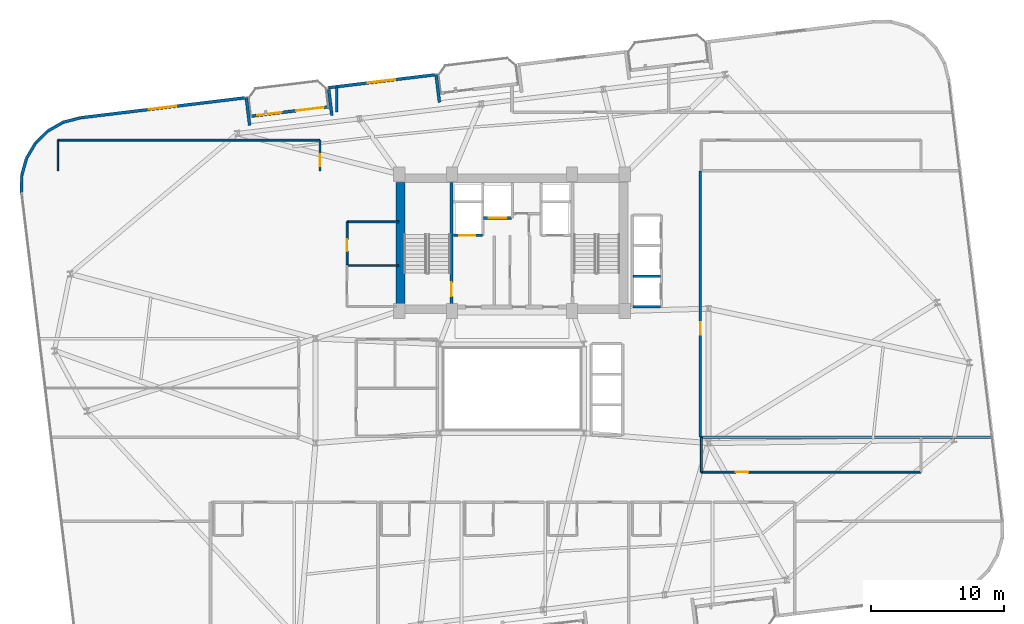
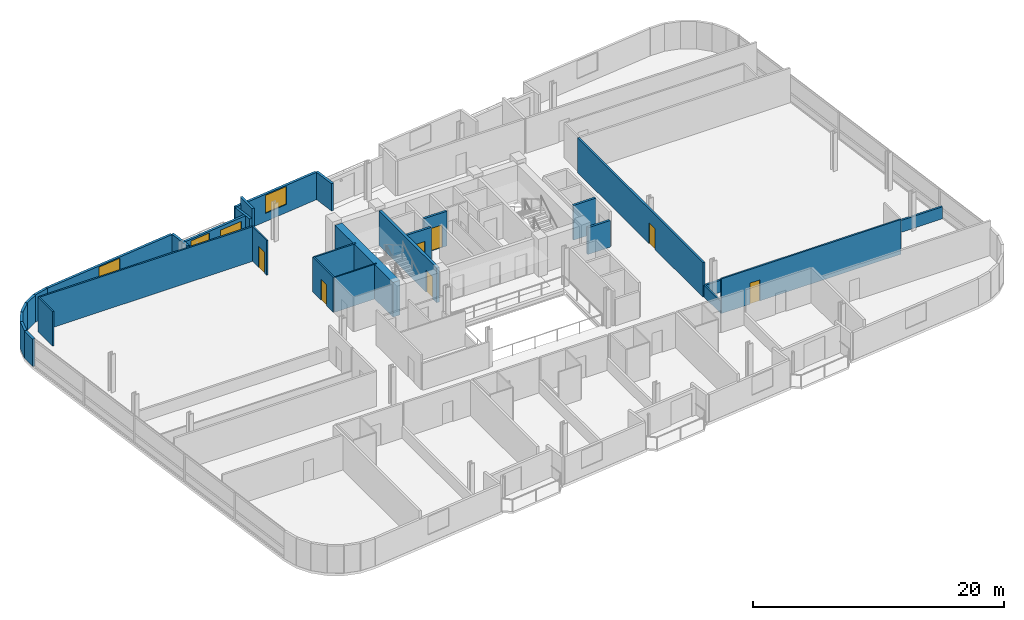
# One storey, part 16 of 22: 29 walls, 8 doors, 3 windows, 11 openings.
"""IFC4 building model written with IfcOpenShell, lengths in metres."""

from ifc_helpers import new_model, si_unit, direction, frame, frame_2d, origin, place, context, subcontext, project, spatial, rectangle, extrude, material, layer, layer_set, type_object, element, fill, save


model = new_model("IFC4")

# Units and contexts
model_context = context("Model", 3, precision=1e-05, world=origin(), true_north=direction((0.0, 1.0)))
body_context = subcontext(model_context, "Body", "Model", "MODEL_VIEW")
ifc_project = project(units=[si_unit("LENGTHUNIT", "METRE"), si_unit("AREAUNIT", "SQUARE_METRE"), si_unit("VOLUMEUNIT", "CUBIC_METRE"), si_unit("PLANEANGLEUNIT", "RADIAN"), si_unit("MASSUNIT", "GRAM", prefix="KILO")], contexts=[model_context])

# Site, building, storey
site_placement = place(None, origin())
site = spatial("IfcSite", under=ifc_project, at=site_placement, CompositionType="ELEMENT")
building_placement = place(site_placement, origin())
building = spatial("IfcBuilding", under=site, at=building_placement, Name="Varnelok Gate Tower", CompositionType="ELEMENT")
storey_placement = place(building_placement, frame((0.0, 0.0, 204.199951171875)))
storey = spatial("IfcBuildingStorey", under=building, at=storey_placement, Name="L52", CompositionType="ELEMENT", Elevation=204.199951171875)

# Wall, openings, door, window
ifc_material_1 = material(Name="Concrete C45/55", Category="concrete")
ifc_layer_1 = layer(ifc_material_1, 0.219970703125)
ifc_layer_set_1 = layer_set([ifc_layer_1], Name="Concrete C45/55")
wall_type_1 = type_object("IfcWallType", Name="EW-BALC-220", PredefinedType="SOLIDWALL", material=ifc_layer_set_1)
wall_1_placement = place(storey_placement, frame((19.477294921875, 43.408203125, 0.0), z_axis=(0.0, 0.0, 1.0), x_axis=(0.992735402148, 0.120318000826, 0.0)))
wall_1 = element("IfcWall", 1, at=wall_1_placement, inside=storey, type_object=wall_type_1, Name="L52 North Terrace Envelope Wall 4", PredefinedType="SOLIDWALL", context=body_context, shape_type="SweptSolid", body=[
    extrude(rectangle(XDim=6.000244140625, YDim=0.219970703125, at=frame_2d((3.0, 0.0))), origin(), (0.0, 0.0, 1.0), 2.66015625),
])
opening_1_placement = place(wall_1_placement, frame((3.5, 0.0, 0.0)))
opening_1 = element("IfcOpeningElement", 2, at=opening_1_placement, cuts=wall_1, Name="Opening BD-2", PredefinedType="OPENING", context=body_context, shape_type="SweptSolid", body=[
    extrude(rectangle(XDim=2.10009765625, YDim=2.300048828125, at=frame_2d((1.050048828125, 1.14990234375))), frame((0.0, 0.119873046875, 0.0), z_axis=(0.0, -1.0, 0.0), x_axis=(1.0, 0.0, 0.0)), (0.0, 0.0, 1.0), 0.239990234375),
])
opening_2_placement = place(wall_1_placement, frame((0.550048828125, 0.0, 0.75)))
opening_2 = element("IfcOpeningElement", 3, at=opening_2_placement, cuts=wall_1, Name="Opening WN5", PredefinedType="OPENING", context=body_context, shape_type="SweptSolid", body=[
    extrude(rectangle(XDim=1.85009765625, YDim=1.75, at=frame_2d((0.925048828125, 0.875))), frame((0.0, 0.119873046875, 0.0), z_axis=(0.0, -1.0, 0.0), x_axis=(1.0, 0.0, 0.0)), (0.0, 0.0, 1.0), 0.239990234375),
])
ifc_material_2 = material(Name="Anodized Aluminum Alloy 6063-T6", Category="aluminium")
door_type_1 = type_object("IfcDoorType", Name="DR-EXT-SLID2100", OperationType="SLIDING_TO_LEFT", PredefinedType="DOOR", material=ifc_material_2)
door_1_placement = place(opening_1_placement, origin())
door_1 = element("IfcDoor", 4, at=door_1_placement, inside=storey, type_object=door_type_1, Name="L52 North Balcony Glazed Door 4", OperationType="SLIDING_TO_LEFT", OverallHeight=2.300048828125, OverallWidth=2.10009765625, PredefinedType="DOOR", context=body_context, shape_type="SweptSolid", body=[
    extrude(rectangle(XDim=2.10009765625, YDim=2.300048828125, at=frame_2d((1.050048828125, 1.14990234375))), frame((0.0, 0.02490234375, 0.0), z_axis=(0.0, -1.0, 0.0), x_axis=(1.0, 0.0, 0.0)), (0.0, 0.0, 1.0), 0.050048828125),
])
fill(opening_1, door_1)
ifc_material_3 = material(Name="Low-E Laminated Double Glazing IGU", Category="glass")
window_type_1 = type_object("IfcWindowType", Name="WN-RES-1850", PartitioningType="SINGLE_PANEL", PredefinedType="WINDOW", material=ifc_material_3)
window_1_placement = place(opening_2_placement, origin())
window_1 = element("IfcWindow", 5, at=window_1_placement, inside=storey, type_object=window_type_1, Name="L52 North Vision Window 4.1", OverallHeight=1.75, OverallWidth=1.85009765625, PartitioningType="SINGLE_PANEL", PredefinedType="WINDOW", context=body_context, shape_type="SweptSolid", body=[
    extrude(rectangle(XDim=1.85009765625, YDim=1.75, at=frame_2d((0.925048828125, 0.875))), frame((0.0, 0.030029296875, 0.0), z_axis=(0.0, -1.0, 0.0), x_axis=(1.0, 0.0, 0.0)), (0.0, 0.0, 1.0), 0.06005859375),
])
fill(opening_2, window_1)

# Wall
wall_2_placement = place(storey_placement, frame((33.734375, 44.46142578125, 0.0), z_axis=(0.0, 0.0, 1.0), x_axis=(-0.120327895535, 0.992734202874, 0.0)))
element("IfcWall", 6, at=wall_2_placement, inside=storey, type_object=wall_type_1, Name="L52 Perimeter Facade Closure Wall 34", PredefinedType="SOLIDWALL", context=body_context, shape_type="SweptSolid", body=[
    extrude(rectangle(XDim=2.099853515625, YDim=0.219970703125, at=frame_2d((1.0498046875, 0.0))), origin(), (0.0, 0.0, 1.0), 2.66015625),
])

# Wall, opening, window
wall_3_placement = place(storey_placement, frame((33.357421875, 46.53125, 0.0), z_axis=(0.0, 0.0, 1.0), x_axis=(-0.992731032022, -0.120354052946, 0.0)))
wall_3 = element("IfcWall", 7, at=wall_3_placement, inside=storey, type_object=wall_type_1, Name="L52 Perimeter Facade Closure Wall 35", PredefinedType="SOLIDWALL", context=body_context, shape_type="SweptSolid", body=[
    extrude(rectangle(XDim=8.034912109375, YDim=0.219970703125, at=frame_2d((4.017578125, 0.0))), origin(), (0.0, 0.0, 1.0), 2.66015625),
])
opening_3_placement = place(wall_3_placement, frame((2.967529296875, 0.0, 0.800048828125)))
opening_3 = element("IfcOpeningElement", 8, at=opening_3_placement, cuts=wall_3, Name="Opening WN4", PredefinedType="OPENING", context=body_context, shape_type="SweptSolid", body=[
    extrude(rectangle(XDim=2.10009765625, YDim=1.75, at=frame_2d((1.050048828125, 0.875))), frame((0.0, 0.119873046875, 0.0), z_axis=(0.0, -1.0, 0.0), x_axis=(1.0, 0.0, 0.0)), (0.0, 0.0, 1.0), 0.239990234375),
])
window_type_2 = type_object("IfcWindowType", Name="WN-SUI-2100", PartitioningType="SINGLE_PANEL", PredefinedType="WINDOW", material=ifc_material_3)
window_2_placement = place(opening_3_placement, origin())
window_2 = element("IfcWindow", 9, at=window_2_placement, inside=storey, type_object=window_type_2, Name="L52 Perimeter Vision Window 35", OverallHeight=1.75, OverallWidth=2.10009765625, PartitioningType="SINGLE_PANEL", PredefinedType="WINDOW", context=body_context, shape_type="SweptSolid", body=[
    extrude(rectangle(XDim=2.10009765625, YDim=1.75, at=frame_2d((1.050048828125, 0.875))), frame((0.0, 0.030029296875, 0.0), z_axis=(0.0, -1.0, 0.0), x_axis=(1.0, 0.0, 0.0)), (0.0, 0.0, 1.0), 0.06005859375),
])
fill(opening_3, window_2)

# Walls
wall_4_placement = place(storey_placement, frame((25.39599609375, 45.440185546875, 0.0), z_axis=(0.0, 0.0, 1.0), x_axis=(0.120275992932, -0.992740492538, 0.0)))
element("IfcWall", 10, at=wall_4_placement, inside=storey, type_object=wall_type_1, Name="L52 Perimeter Facade Closure Wall 36", PredefinedType="SOLIDWALL", context=body_context, shape_type="SweptSolid", body=[
    extrude(rectangle(XDim=1.97509765625, YDim=0.219970703125, at=frame_2d((0.987548828125, 0.0))), origin(), (0.0, 0.0, 1.0), 2.66015625),
])
wall_5_placement = place(storey_placement, frame((19.43896484375, 42.728515625, 0.0), z_axis=(0.0, 0.0, 1.0), x_axis=(-0.120327895535, 0.992734202874, 0.0)))
element("IfcWall", 11, at=wall_5_placement, inside=storey, type_object=wall_type_1, Name="L52 Perimeter Facade Closure Wall 37", PredefinedType="SOLIDWALL", context=body_context, shape_type="SweptSolid", body=[
    extrude(rectangle(XDim=2.099853515625, YDim=0.219970703125, at=frame_2d((1.0498046875, 0.0))), origin(), (0.0, 0.0, 1.0), 2.66015625),
])

# Wall, opening, window
wall_6_placement = place(storey_placement, frame((19.06201171875, 44.798095703125, 0.0), z_axis=(0.0, 0.0, 1.0), x_axis=(-0.992733569027, -0.120333124809, 0.0)))
wall_6 = element("IfcWall", 12, at=wall_6_placement, inside=storey, type_object=wall_type_1, Name="L52 Perimeter Facade Closure Wall 38", PredefinedType="SOLIDWALL", context=body_context, shape_type="SweptSolid", body=[
    extrude(rectangle(XDim=12.447021484375, YDim=0.219970703125, at=frame_2d((6.2236328125, 0.0))), origin(), (0.0, 0.0, 1.0), 2.66015625),
])
opening_4_placement = place(wall_6_placement, frame((5.173583984375, 0.0, 0.800048828125)))
opening_4 = element("IfcOpeningElement", 13, at=opening_4_placement, cuts=wall_6, Name="Opening WN4", PredefinedType="OPENING", context=body_context, shape_type="SweptSolid", body=[
    extrude(rectangle(XDim=2.10009765625, YDim=1.75, at=frame_2d((1.050048828125, 0.875))), frame((0.0, 0.119873046875, 0.0), z_axis=(0.0, -1.0, 0.0), x_axis=(1.0, 0.0, 0.0)), (0.0, 0.0, 1.0), 0.239990234375),
])
window_3_placement = place(opening_4_placement, origin())
window_3 = element("IfcWindow", 14, at=window_3_placement, inside=storey, type_object=window_type_2, Name="L52 Perimeter Vision Window 38", OverallHeight=1.75, OverallWidth=2.10009765625, PartitioningType="SINGLE_PANEL", PredefinedType="WINDOW", context=body_context, shape_type="SweptSolid", body=[
    extrude(rectangle(XDim=2.10009765625, YDim=1.75, at=frame_2d((1.050048828125, 0.875))), frame((0.0, 0.030029296875, 0.0), z_axis=(0.0, -1.0, 0.0), x_axis=(1.0, 0.0, 0.0)), (0.0, 0.0, 1.0), 0.06005859375),
])
fill(opening_4, window_3)

# Walls
wall_7_placement = place(storey_placement, frame((6.68115234375, 43.294189453125, 0.0), z_axis=(0.0, 0.0, 1.0), x_axis=(-0.968496788899, -0.2490260426, 0.0)))
element("IfcWall", 15, at=wall_7_placement, inside=storey, type_object=wall_type_1, Name="L52 Perimeter Facade Closure Wall 39", PredefinedType="SOLIDWALL", context=body_context, shape_type="SweptSolid", body=[
    extrude(rectangle(XDim=1.308837890625, YDim=0.219970703125, at=frame_2d((0.654296875, 0.0))), origin(), (0.0, 0.0, 1.0), 2.66015625),
])
for number, where, z_axis, x_axis, name in (
    (16, (5.391845703125, 42.9560546875, 0.0), (0.0, 0.0, 1.0), (-0.87105877335, -0.491178799797, 0.0), "L52 Perimeter Facade Closure Wall 40"),
    (17, (4.24072265625, 42.299560546875, 0.0), (0.0, 0.0, 1.0), (-0.714389219205, -0.699748557329, 0.0), "L52 Perimeter Facade Closure Wall 41"),
):
    element("IfcWall", number, at=place(storey_placement, frame(where, z_axis=z_axis, x_axis=x_axis)), inside=storey, type_object=wall_type_1, Name=name, PredefinedType="SOLIDWALL", context=body_context, shape_type="SweptSolid", body=[
        extrude(rectangle(XDim=1.30078125, YDim=0.219970703125, at=frame_2d((0.650390625, 0.0))), origin(), (0.0, 0.0, 1.0), 2.66015625),
    ])
wall_8_placement = place(storey_placement, frame((3.298583984375, 41.367919921875, 0.0), z_axis=(0.0, 0.0, 1.0), x_axis=(-0.508716668029, -0.860933999601, 0.0)))
element("IfcWall", 18, at=wall_8_placement, inside=storey, type_object=wall_type_1, Name="L52 Perimeter Facade Closure Wall 42", PredefinedType="SOLIDWALL", context=body_context, shape_type="SweptSolid", body=[
    extrude(rectangle(XDim=1.301025390625, YDim=0.219970703125, at=frame_2d((0.650390625, 0.0))), origin(), (0.0, 0.0, 1.0), 2.66015625),
])
for number, where, z_axis, x_axis, name in (
    (19, (2.630126953125, 40.223876953125, 0.0), (0.0, 0.0, 1.0), (-0.26876657226, -0.963205341366, 0.0), "L52 Perimeter Facade Closure Wall 43"),
    (20, (2.2802734375, 38.94580078125, 0.0), (0.0, 0.0, 1.0), (-0.01013461463, -0.999948643474, 0.0), "L52 Perimeter Facade Closure Wall 44"),
):
    element("IfcWall", number, at=place(storey_placement, frame(where, z_axis=z_axis, x_axis=x_axis)), inside=storey, type_object=wall_type_1, Name=name, PredefinedType="SOLIDWALL", context=body_context, shape_type="SweptSolid", body=[
        extrude(rectangle(XDim=1.30078125, YDim=0.219970703125, at=frame_2d((0.650390625, 0.0))), origin(), (0.0, 0.0, 1.0), 2.66015625),
    ])

# Wall, opening, door
ifc_material_4 = material(Name="Gypsum Plasterboard Acoustic Partition", Category="gypsum")
ifc_layer_2 = layer(ifc_material_4, 0.179931640625)
ifc_layer_set_2 = layer_set([ifc_layer_2], Name="Gypsum Plasterboard Acoustic Partition")
wall_type_2 = type_object("IfcWallType", Name="PW-CORR-180", PredefinedType="PARTITIONING", material=ifc_layer_set_2)
wall_9_placement = place(storey_placement, frame((53.389892578125, 19.239990234375, 0.0), z_axis=(0.0, 0.0, 1.0), x_axis=(0.0, 1.0, 0.0)))
wall_9 = element("IfcWall", 21, at=wall_9_placement, inside=storey, type_object=wall_type_2, Name="Interior Partition", PredefinedType="PARTITIONING", context=body_context, shape_type="SweptSolid", body=[
    extrude(rectangle(XDim=20.06005859375, YDim=0.179931640625, at=frame_2d((10.030029296875, 0.0))), origin(), (0.0, 0.0, 1.0), 3.380126953125),
])
opening_5_placement = place(wall_9_placement, frame((7.699951171875, 0.0, 0.0)))
opening_5 = element("IfcOpeningElement", 22, at=opening_5_placement, cuts=wall_9, Name="Opening D-I2", PredefinedType="OPENING", context=body_context, shape_type="SweptSolid", body=[
    extrude(rectangle(XDim=0.949951171875, YDim=2.050048828125, at=frame_2d((0.47509765625, 1.02490234375))), frame((0.0, 0.099853515625, 0.0), z_axis=(0.0, -1.0, 0.0), x_axis=(1.0, 0.0, 0.0)), (0.0, 0.0, 1.0), 0.199951171875),
])
ifc_material_5 = material(Name="Engineered Hardwood Timber", Category="wood")
door_type_2 = type_object("IfcDoorType", Name="DR-INT-950", OperationType="NOTDEFINED", PredefinedType="DOOR", material=ifc_material_5)
door_2_placement = place(opening_5_placement, origin())
door_2 = element("IfcDoor", 23, at=door_2_placement, inside=storey, type_object=door_type_2, Name="L52 East Club Door", OperationType="SINGLE_SWING_RIGHT", OverallHeight=2.050048828125, OverallWidth=0.949951171875, PredefinedType="DOOR", context=body_context, shape_type="SweptSolid", body=[
    extrude(rectangle(XDim=0.949951171875, YDim=2.050048828125, at=frame_2d((0.47509765625, 1.02490234375))), frame((0.0, 0.02490234375, 0.0), z_axis=(0.0, -1.0, 0.0), x_axis=(1.0, 0.0, 0.0)), (0.0, 0.0, 1.0), 0.050048828125),
])
fill(opening_5, door_2)

# Walls
wall_10_placement = place(storey_placement, frame((53.389892578125, 19.239990234375, 0.0), z_axis=(0.0, 0.0, 1.0), x_axis=(1.0, 0.0, 0.0)))
element("IfcWall", 24, at=wall_10_placement, inside=storey, type_object=wall_type_2, Name="Interior Partition", PredefinedType="PARTITIONING", context=body_context, shape_type="SweptSolid", body=[
    extrude(rectangle(XDim=21.922119140625, YDim=0.179931640625, at=frame_2d((10.9609375, 0.0))), origin(), (0.0, 0.0, 1.0), 1.1650390625),
])
ifc_layer_3 = layer(ifc_material_4, 0.114990234375)
ifc_layer_set_3 = layer_set([ifc_layer_3], Name="Gypsum Plasterboard Acoustic Partition")
wall_type_3 = type_object("IfcWallType", Name="PW-ENS-125", PredefinedType="PARTITIONING", material=ifc_layer_set_3)
wall_11_placement = place(storey_placement, frame((26.800048828125, 32.18994140625, 0.0), z_axis=(0.0, 0.0, 1.0), x_axis=(1.0, 0.0, 0.0)))
element("IfcWall", 25, at=wall_11_placement, inside=storey, type_object=wall_type_3, Name="Interior Partition", PredefinedType="PARTITIONING", context=body_context, shape_type="SweptSolid", body=[
    extrude(rectangle(XDim=3.8798828125, YDim=0.114990234375, at=frame_2d((1.93994140625, 0.0))), origin(), (0.0, 0.0, 1.0), 3.380126953125),
])
ifc_layer_4 = layer(ifc_material_4, 0.125)
ifc_layer_set_4 = layer_set([ifc_layer_4], Name="Gypsum Plasterboard Acoustic Partition")
wall_type_4 = type_object("IfcWallType", Name="PW-PART-125", PredefinedType="PARTITIONING", material=ifc_layer_set_4)
wall_12_placement = place(storey_placement, frame((53.449951171875, 16.610107421875, 0.0), z_axis=(0.0, 0.0, 1.0), x_axis=(0.0, 1.0, 0.0)))
element("IfcWall", 26, at=wall_12_placement, inside=storey, type_object=wall_type_4, Name="Interior Partition", PredefinedType="PARTITIONING", context=body_context, shape_type="SweptSolid", body=[
    extrude(rectangle(XDim=2.6298828125, YDim=0.125, at=frame_2d((1.31494140625, 0.0))), origin(), (0.0, 0.0, 1.0), 1.1650390625),
])
wall_13_placement = place(storey_placement, frame((5.0, 39.300048828125, 0.0), z_axis=(0.0, 0.0, 1.0), x_axis=(0.0, 1.0, 0.0)))
element("IfcWall", 27, at=wall_13_placement, inside=storey, type_object=wall_type_4, Name="Interior Partition", PredefinedType="PARTITIONING", context=body_context, shape_type="SweptSolid", body=[
    extrude(rectangle(XDim=2.31005859375, YDim=0.125, at=frame_2d((1.155029296875, 0.0))), origin(), (0.0, 0.0, 1.0), 3.380126953125),
])

# Wall, opening, door
wall_14_placement = place(storey_placement, frame((24.739990234375, 39.300048828125, 0.0), z_axis=(0.0, 0.0, 1.0), x_axis=(0.0, 1.0, 0.0)))
wall_14 = element("IfcWall", 28, at=wall_14_placement, inside=storey, type_object=wall_type_4, Name="Interior Partition", PredefinedType="PARTITIONING", context=body_context, shape_type="SweptSolid", body=[
    extrude(rectangle(XDim=2.31005859375, YDim=0.125, at=frame_2d((1.155029296875, 0.0))), origin(), (0.0, 0.0, 1.0), 3.380126953125),
])
opening_6_placement = place(wall_14_placement, frame((0.35009765625, 0.0, 0.0)))
opening_6 = element("IfcOpeningElement", 29, at=opening_6_placement, cuts=wall_14, Name="Opening D-I3", PredefinedType="OPENING", context=body_context, shape_type="SweptSolid", body=[
    extrude(rectangle(XDim=0.919921875, YDim=2.050048828125, at=frame_2d((0.4599609375, 1.02490234375))), frame((0.0, 0.072509765625, 0.0), z_axis=(0.0, -1.0, 0.0), x_axis=(1.0, 0.0, 0.0)), (0.0, 0.0, 1.0), 0.14501953125),
])
door_type_3 = type_object("IfcDoorType", Name="DR-INT-920", OperationType="NOTDEFINED", PredefinedType="DOOR", material=ifc_material_5)
door_3_placement = place(opening_6_placement, origin())
door_3 = element("IfcDoor", 30, at=door_3_placement, inside=storey, type_object=door_type_3, Name="L52 North Study 1 Door", OperationType="SINGLE_SWING_RIGHT", OverallHeight=2.050048828125, OverallWidth=0.919921875, PredefinedType="DOOR", context=body_context, shape_type="SweptSolid", body=[
    extrude(rectangle(XDim=0.919921875, YDim=2.050048828125, at=frame_2d((0.4599609375, 1.02490234375))), frame((0.0, 0.02490234375, 0.0), z_axis=(0.0, -1.0, 0.0), x_axis=(1.0, 0.0, 0.0)), (0.0, 0.0, 1.0), 0.050048828125),
])
fill(opening_6, door_3)

ifc_layer_5 = layer(ifc_material_4, 0.14990234375)
ifc_layer_set_5 = layer_set([ifc_layer_5], Name="Gypsum Plasterboard Acoustic Partition")
wall_type_5 = type_object("IfcWallType", Name="PW-PART-150", PredefinedType="PARTITIONING", material=ifc_layer_set_5)
wall_15_placement = place(storey_placement, frame((53.449951171875, 16.610107421875, 0.0), z_axis=(0.0, 0.0, 1.0), x_axis=(1.0, 0.0, 0.0)))
wall_15 = element("IfcWall", 31, at=wall_15_placement, inside=storey, type_object=wall_type_5, Name="Interior Partition", PredefinedType="PARTITIONING", context=body_context, shape_type="SweptSolid", body=[
    extrude(rectangle(XDim=16.550048828125, YDim=0.14990234375, at=frame_2d((8.27490234375, 0.0))), origin(), (0.0, 0.0, 1.0), 3.380126953125),
])
opening_7_placement = place(wall_15_placement, frame((2.610107421875, 0.0, 0.0)))
opening_7 = element("IfcOpeningElement", 32, at=opening_7_placement, cuts=wall_15, Name="Opening D-I3", PredefinedType="OPENING", context=body_context, shape_type="SweptSolid", body=[
    extrude(rectangle(XDim=0.919921875, YDim=2.050048828125, at=frame_2d((0.4599609375, 1.02490234375))), frame((0.0, 0.0849609375, 0.0), z_axis=(0.0, -1.0, 0.0), x_axis=(1.0, 0.0, 0.0)), (0.0, 0.0, 1.0), 0.169921875),
])
door_4_placement = place(opening_7_placement, origin())
door_4 = element("IfcDoor", 33, at=door_4_placement, inside=storey, type_object=door_type_3, Name="L52 Atrium Room 2 Door", OperationType="SINGLE_SWING_LEFT", OverallHeight=2.050048828125, OverallWidth=0.919921875, PredefinedType="DOOR", context=body_context, shape_type="SweptSolid", body=[
    extrude(rectangle(XDim=0.919921875, YDim=2.050048828125, at=frame_2d((0.4599609375, 1.02490234375))), frame((0.0, 0.02490234375, 0.0), z_axis=(0.0, -1.0, 0.0), x_axis=(1.0, 0.0, 0.0)), (0.0, 0.0, 1.0), 0.050048828125),
])
fill(opening_7, door_4)

# Walls
wall_16_placement = place(storey_placement, frame((5.0, 41.610107421875, 0.0), z_axis=(0.0, 0.0, 1.0), x_axis=(1.0, 0.0, 0.0)))
element("IfcWall", 34, at=wall_16_placement, inside=storey, type_object=wall_type_5, Name="Interior Partition", PredefinedType="PARTITIONING", context=body_context, shape_type="SweptSolid", body=[
    extrude(rectangle(XDim=19.739990234375, YDim=0.14990234375, at=frame_2d((9.8701171875, 0.0))), origin(), (0.0, 0.0, 1.0), 3.380126953125),
])
wall_17_placement = place(storey_placement, frame((26.780029296875, 35.4599609375, 0.0), z_axis=(0.0, 0.0, 1.0), x_axis=(1.0, 0.0, 0.0)))
element("IfcWall", 35, at=wall_17_placement, inside=storey, type_object=wall_type_5, Name="Interior Partition", PredefinedType="PARTITIONING", context=body_context, shape_type="SweptSolid", body=[
    extrude(rectangle(XDim=3.89990234375, YDim=0.14990234375, at=frame_2d((1.949951171875, 0.0))), origin(), (0.0, 0.0, 1.0), 3.380126953125),
])

# Wall, opening, door
wall_18_placement = place(storey_placement, frame((26.780029296875, 32.18994140625, 0.0), z_axis=(0.0, 0.0, 1.0), x_axis=(0.0, 1.0, 0.0)))
wall_18 = element("IfcWall", 36, at=wall_18_placement, inside=storey, type_object=wall_type_5, Name="Interior Partition", PredefinedType="PARTITIONING", context=body_context, shape_type="SweptSolid", body=[
    extrude(rectangle(XDim=3.27001953125, YDim=0.14990234375, at=frame_2d((1.635009765625, 0.0))), origin(), (0.0, 0.0, 1.0), 3.380126953125),
])
opening_8_placement = place(wall_18_placement, frame((1.050048828125, 0.0, 0.0)))
opening_8 = element("IfcOpeningElement", 37, at=opening_8_placement, cuts=wall_18, Name="Opening D-I3", PredefinedType="OPENING", context=body_context, shape_type="SweptSolid", body=[
    extrude(rectangle(XDim=0.919921875, YDim=2.050048828125, at=frame_2d((0.4599609375, 1.02490234375))), frame((0.0, 0.0849609375, 0.0), z_axis=(0.0, -1.0, 0.0), x_axis=(1.0, 0.0, 0.0)), (0.0, 0.0, 1.0), 0.169921875),
])
door_5_placement = place(opening_8_placement, origin())
door_5 = element("IfcDoor", 38, at=door_5_placement, inside=storey, type_object=door_type_3, Name="L52 Core Pantry Door", OperationType="SINGLE_SWING_RIGHT", OverallHeight=2.050048828125, OverallWidth=0.919921875, PredefinedType="DOOR", context=body_context, shape_type="SweptSolid", body=[
    extrude(rectangle(XDim=0.919921875, YDim=2.050048828125, at=frame_2d((0.4599609375, 1.02490234375))), frame((0.0, 0.02490234375, 0.0), z_axis=(0.0, -1.0, 0.0), x_axis=(1.0, 0.0, 0.0)), (0.0, 0.0, 1.0), 0.050048828125),
])
fill(opening_8, door_5)

# Wall
ifc_layer_6 = layer(ifc_material_4, 0.205078125)
ifc_layer_set_6 = layer_set([ifc_layer_6], Name="Gypsum Plasterboard Acoustic Partition")
wall_type_6 = type_object("IfcWallType", Name="PW-PARTY-200", PredefinedType="PARTITIONING", material=ifc_layer_set_6)
wall_19_placement = place(storey_placement, frame((26.0, 43.72998046875, 0.0), z_axis=(0.0, 0.0, 1.0), x_axis=(0.0, 1.0, 0.0)))
element("IfcWall", 39, at=wall_19_placement, inside=storey, type_object=wall_type_6, Name="L52 North Party Wall 1", PredefinedType="PARTITIONING", context=body_context, shape_type="SweptSolid", body=[
    extrude(rectangle(XDim=1.88916015625, YDim=0.205078125, at=frame_2d((0.944580078125, 0.0))), origin(), (0.0, 0.0, 1.0), 3.380126953125),
])

# Wall, opening, door
ifc_material_6 = material(Name="Concrete C35/45", Category="concrete")
ifc_layer_7 = layer(ifc_material_6, 0.199951171875)
ifc_layer_set_7 = layer_set([ifc_layer_7], Name="Concrete C35/45")
wall_type_7 = type_object("IfcWallType", Name="PW-SHAFT-200", PredefinedType="PARTITIONING", material=ifc_layer_set_7)
wall_20_placement = place(storey_placement, frame((34.800048828125, 34.43994140625, 0.0), z_axis=(0.0, 0.0, 1.0), x_axis=(1.0, 0.0, 0.0)))
wall_20 = element("IfcWall", 40, at=wall_20_placement, inside=storey, type_object=wall_type_7, Name="L52 FF1 Shaft Front Wall", PredefinedType="PARTITIONING", context=body_context, shape_type="SweptSolid", body=[
    extrude(rectangle(XDim=2.179931640625, YDim=0.199951171875, at=frame_2d((1.08984375, 0.0))), origin(), (0.0, 0.0, 1.0), 3.380126953125),
])
opening_9_placement = place(wall_20_placement, frame((0.419921875, 0.0, 0.0)))
opening_9 = element("IfcOpeningElement", 41, at=opening_9_placement, cuts=wall_20, Name="Opening LD-FF1", PredefinedType="OPENING", context=body_context, shape_type="SweptSolid", body=[
    extrude(rectangle(XDim=1.199951171875, YDim=2.199951171875, at=frame_2d((0.60009765625, 1.10009765625))), frame((0.0, 0.10986328125, 0.0), z_axis=(0.0, -1.0, 0.0), x_axis=(1.0, 0.0, 0.0)), (0.0, 0.0, 1.0), 0.219970703125),
])
ifc_material_7 = material(Name="Galvanized Steel Grade S350GD", Category="steel")
door_type_4 = type_object("IfcDoorType", Name="DR-LIFT-FF1200", OperationType="SLIDING_TO_LEFT", PredefinedType="DOOR", material=ifc_material_7)
door_6_placement = place(opening_9_placement, origin())
door_6 = element("IfcDoor", 42, at=door_6_placement, inside=storey, type_object=door_type_4, Name="L52 Firefighting Lift Landing Door LD-FF1", OperationType="SLIDING_TO_LEFT", OverallHeight=2.199951171875, OverallWidth=1.199951171875, PredefinedType="DOOR", context=body_context, shape_type="SweptSolid", body=[
    extrude(rectangle(XDim=1.199951171875, YDim=2.199951171875, at=frame_2d((0.60009765625, 1.10009765625))), frame((0.0, 0.02490234375, 0.0), z_axis=(0.0, -1.0, 0.0), x_axis=(1.0, 0.0, 0.0)), (0.0, 0.0, 1.0), 0.050048828125),
])
fill(opening_9, door_6)

wall_21_placement = place(storey_placement, frame((37.06005859375, 35.75, 0.0), z_axis=(0.0, 0.0, 1.0), x_axis=(1.0, 0.0, 0.0)))
wall_21 = element("IfcWall", 43, at=wall_21_placement, inside=storey, type_object=wall_type_7, Name="L52 SV1 Shaft Front Wall", PredefinedType="PARTITIONING", context=body_context, shape_type="SweptSolid", body=[
    extrude(rectangle(XDim=2.119873046875, YDim=0.199951171875, at=frame_2d((1.06005859375, 0.0))), origin(), (0.0, 0.0, 1.0), 3.380126953125),
])
opening_10_placement = place(wall_21_placement, frame((0.39990234375, 0.0, 0.0)))
opening_10 = element("IfcOpeningElement", 44, at=opening_10_placement, cuts=wall_21, Name="Opening LD-SV1", PredefinedType="OPENING", context=body_context, shape_type="SweptSolid", body=[
    extrude(rectangle(XDim=1.300048828125, YDim=2.199951171875, at=frame_2d((0.64990234375, 1.10009765625))), frame((0.0, 0.10986328125, 0.0), z_axis=(0.0, -1.0, 0.0), x_axis=(1.0, 0.0, 0.0)), (0.0, 0.0, 1.0), 0.219970703125),
])
door_type_5 = type_object("IfcDoorType", Name="DR-LIFT-SV1300", OperationType="SLIDING_TO_LEFT", PredefinedType="DOOR", material=ifc_material_7)
door_7_placement = place(opening_10_placement, origin())
door_7 = element("IfcDoor", 45, at=door_7_placement, inside=storey, type_object=door_type_5, Name="L52 Service Lift Landing Door LD-SV1", OperationType="SLIDING_TO_LEFT", OverallHeight=2.199951171875, OverallWidth=1.300048828125, PredefinedType="DOOR", context=body_context, shape_type="SweptSolid", body=[
    extrude(rectangle(XDim=1.300048828125, YDim=2.199951171875, at=frame_2d((0.64990234375, 1.10009765625))), frame((0.0, 0.02490234375, 0.0), z_axis=(0.0, -1.0, 0.0), x_axis=(1.0, 0.0, 0.0)), (0.0, 0.0, 1.0), 0.050048828125),
])
fill(opening_10, door_7)

# Walls
wall_22_placement = place(storey_placement, frame((48.320068359375, 31.375, 0.0), z_axis=(0.0, 0.0, 1.0), x_axis=(1.0, 0.0, 0.0)))
element("IfcWall", 46, at=wall_22_placement, inside=storey, type_object=wall_type_7, Name="L52 PM1 Divider", PredefinedType="PARTITIONING", context=body_context, shape_type="SweptSolid", body=[
    extrude(rectangle(XDim=2.059814453125, YDim=0.199951171875, at=frame_2d((1.02978515625, 0.0))), origin(), (0.0, 0.0, 1.0), 3.380126953125),
])
wall_23_placement = place(storey_placement, frame((48.320068359375, 29.080078125, 0.0), z_axis=(0.0, 0.0, 1.0), x_axis=(1.0, 0.0, 0.0)))
element("IfcWall", 47, at=wall_23_placement, inside=storey, type_object=wall_type_7, Name="L52 PM Bank South Wall", PredefinedType="PARTITIONING", context=body_context, shape_type="SweptSolid", body=[
    extrude(rectangle(XDim=2.059814453125, YDim=0.199951171875, at=frame_2d((1.02978515625, 0.0))), origin(), (0.0, 0.0, 1.0), 2.592041015625),
])
ifc_material_8 = material(Name="Concrete C60/75", Category="concrete")
ifc_layer_8 = layer(ifc_material_8, 0.64990234375)
ifc_layer_set_8 = layer_set([ifc_layer_8], Name="Concrete C60/75")
wall_type_8 = type_object("IfcWallType", Name="SW-CORE-650", PredefinedType="SHEAR", material=ifc_layer_set_8)
wall_24_placement = place(storey_placement, frame((30.804931640625, 29.199951171875, 0.0), z_axis=(0.0, 0.0, 1.0), x_axis=(0.0, 1.0, 0.0)))
element("IfcWall", 48, at=wall_24_placement, inside=storey, type_object=wall_type_8, Name="L52 Rear Core West Shear Wall", PredefinedType="SHEAR", context=body_context, shape_type="SweptSolid", body=[
    extrude(rectangle(XDim=9.219970703125, YDim=0.64990234375, at=frame_2d((4.60986328125, 0.0))), origin(), (0.0, 0.0, 1.0), 3.380126953125),
])

# Wall, opening, door
ifc_layer_9 = layer(ifc_material_8, 0.25)
ifc_layer_set_9 = layer_set([ifc_layer_9], Name="Concrete C60/75")
wall_type_9 = type_object("IfcWallType", Name="SW-SHAFT-250", PredefinedType="SHEAR", material=ifc_layer_set_9)
wall_25_placement = place(storey_placement, frame((34.639892578125, 29.199951171875, 0.0), z_axis=(0.0, 0.0, 1.0), x_axis=(0.0, 1.0, 0.0)))
wall_25 = element("IfcWall", 49, at=wall_25_placement, inside=storey, type_object=wall_type_9, Name="L52 Stair ST-1 East Shear Wall", PredefinedType="SHEAR", context=body_context, shape_type="SweptSolid", body=[
    extrude(rectangle(XDim=9.219970703125, YDim=0.25, at=frame_2d((4.60986328125, 0.0))), origin(), (0.0, 0.0, 1.0), 3.380126953125),
])
opening_11_placement = place(wall_25_placement, frame((0.64990234375, 0.0, 0.0)))
opening_11 = element("IfcOpeningElement", 50, at=opening_11_placement, cuts=wall_25, Name="Opening D-ST", PredefinedType="OPENING", context=body_context, shape_type="SweptSolid", body=[
    extrude(rectangle(XDim=1.050048828125, YDim=2.14990234375, at=frame_2d((0.52490234375, 1.074951171875))), frame((0.0, 0.135009765625, 0.0), z_axis=(0.0, -1.0, 0.0), x_axis=(1.0, 0.0, 0.0)), (0.0, 0.0, 1.0), 0.27001953125),
])
door_type_6 = type_object("IfcDoorType", Name="DR-STAIR-1050", OperationType="NOTDEFINED", PredefinedType="DOOR", material=ifc_material_7)
door_8_placement = place(opening_11_placement, origin())
door_8 = element("IfcDoor", 51, at=door_8_placement, inside=storey, type_object=door_type_6, Name="L52 Exit Stair ST-1 Fire Door", OperationType="SINGLE_SWING_LEFT", OverallHeight=2.14990234375, OverallWidth=1.050048828125, PredefinedType="DOOR", context=body_context, shape_type="SweptSolid", body=[
    extrude(rectangle(XDim=1.050048828125, YDim=2.14990234375, at=frame_2d((0.52490234375, 1.074951171875))), frame((0.0, 0.02490234375, 0.0), z_axis=(0.0, -1.0, 0.0), x_axis=(1.0, 0.0, 0.0)), (0.0, 0.0, 1.0), 0.050048828125),
])
fill(opening_11, door_8)

save(model, "model.ifc")
